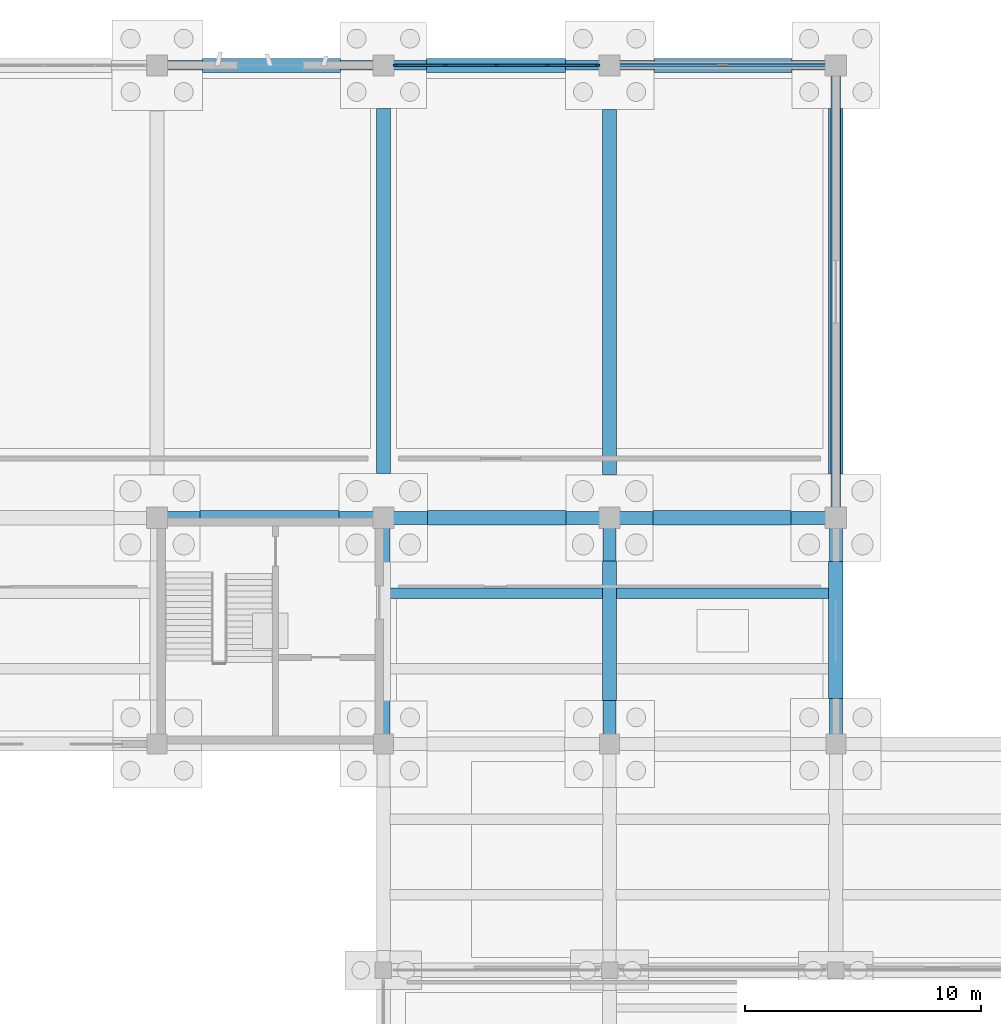
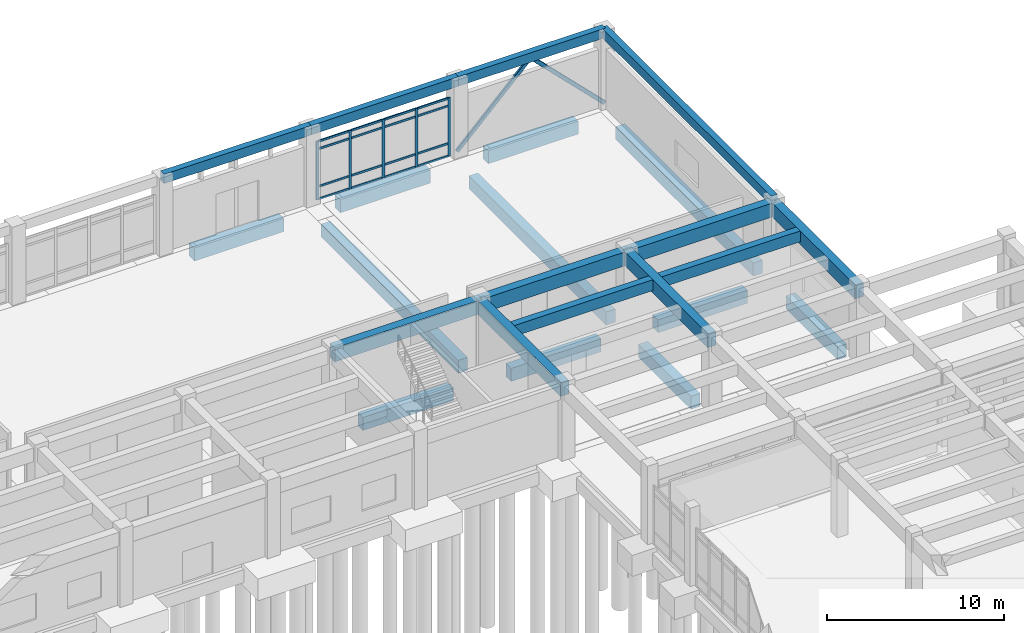
# One storey, part 55 of 102: 23 beams, 23 members, 1 element without a shape of its own.
"""IFC4 building model written with IfcOpenShell, lengths in metres."""

import ifcopenshell
import ifcopenshell.guid

model = None  # the IFC model being written
_history = None  # IfcOwnerHistory: only IFC2X3 demands one
_inside = {}  # id of a spatial element -> (the spatial element, [elements in it])
_under = {}  # id of a project, library or spatial element -> (it, [spatial elements below it])
_declared = {}  # id of a project -> (the project, [libraries it declares])
_typed = {}  # id of a type object -> (the type object, [elements of that type])
_made_of = {}  # id of a material, layer set ... -> (it, [elements and type objects made of it])


def new_model(schema):
    """Start an empty IFC model of exactly this schema.

    Asked for "IFC4X3", IfcOpenShell would pick the latest addendum, in which some entities
    have other attributes; the version numbers below select the first issue.
    IFC2X3 requires an IfcOwnerHistory on every rooted entity: one is made here for all.
    """
    global model, _history
    if schema == "IFC4X3":
        model = ifcopenshell.file(schema_version=(4, 3, 0, 0))
    else:
        model = ifcopenshell.file(schema=schema)
    _inside.clear()
    _under.clear()
    _declared.clear()
    _typed.clear()
    _made_of.clear()
    _history = None
    if model.schema == "IFC2X3":
        org = make("IfcOrganization", Name="unknown")
        user = make(
            "IfcPersonAndOrganization",
            ThePerson=make("IfcPerson", FamilyName="unknown"),
            TheOrganization=org,
        )
        app = make(
            "IfcApplication",
            ApplicationDeveloper=org,
            Version="unknown",
            ApplicationFullName="unknown",
            ApplicationIdentifier="unknown",
        )
        _history = make(
            "IfcOwnerHistory",
            OwningUser=user,
            OwningApplication=app,
            ChangeAction="ADDED",
            CreationDate=0,
        )
    return model


def make(cls, **values):
    """One entity of the class cls with the attributes given. An attribute that is None is left unset."""
    return model.create_entity(
        cls, **{name: value for name, value in values.items() if value is not None}
    )


def rooted(cls, **values):
    """An entity with a GlobalId (a new one), such as an element, a storey or a relation."""
    return make(cls, GlobalId=ifcopenshell.guid.new(), OwnerHistory=_history, **values)


def si_unit(unit_type, name, prefix=None):
    """IfcSIUnit, for example si_unit("LENGTHUNIT", "METRE", prefix="MILLI")."""
    return make("IfcSIUnit", UnitType=unit_type, Prefix=prefix, Name=name)


def assignment(units):
    """IfcUnitAssignment: the units of a project."""
    return None if units is None else make("IfcUnitAssignment", Units=units)


def point(xyz):
    """IfcCartesianPoint."""
    return None if xyz is None else make("IfcCartesianPoint", Coordinates=xyz)


def direction(xyz):
    """IfcDirection."""
    return None if xyz is None else make("IfcDirection", DirectionRatios=xyz)


def frame(location, z_axis=None, x_axis=None):
    """IfcAxis2Placement3D, a coordinate frame: its origin and axes. An axis left out is left unset."""
    return make(
        "IfcAxis2Placement3D",
        Location=point(location),
        Axis=direction(z_axis),
        RefDirection=direction(x_axis),
    )


def frame_2d(location, x_axis=None):
    """IfcAxis2Placement2D, a coordinate frame in the plane: its origin and x axis."""
    return make(
        "IfcAxis2Placement2D", Location=point(location), RefDirection=direction(x_axis)
    )


def origin():
    """The frame at (0, 0, 0) with its axes left unset."""
    return frame((0.0, 0.0, 0.0))


def origin_2d():
    """The frame at (0, 0) in the plane with its x axis left unset."""
    return frame_2d((0.0, 0.0))


def place(relative_to, where):
    """IfcLocalPlacement: puts the frame where relative to a parent placement (None: the world)."""
    return make(
        "IfcLocalPlacement", PlacementRelTo=relative_to, RelativePlacement=where
    )


def context(
    kind, dimensions, precision=None, world=None, true_north=None, identifier=None
):
    """IfcGeometricRepresentationContext, for example the 3D "Model" context."""
    return make(
        "IfcGeometricRepresentationContext",
        ContextIdentifier=identifier,
        ContextType=kind,
        CoordinateSpaceDimension=dimensions,
        Precision=precision,
        WorldCoordinateSystem=world,
        TrueNorth=true_north,
    )


def subcontext(parent, identifier, kind, view, scale=None):
    """IfcGeometricRepresentationSubContext, for example "Body" below "Model"."""
    return make(
        "IfcGeometricRepresentationSubContext",
        ContextIdentifier=identifier,
        ContextType=kind,
        ParentContext=parent,
        TargetScale=scale,
        TargetView=view,
    )


def project(units=None, contexts=None):
    """IfcProject with its units and contexts."""
    return rooted(
        "IfcProject",
        Name="project",
        RepresentationContexts=contexts,
        UnitsInContext=assignment(units),
    )


def spatial(cls, under=None, at=None, **own):
    """A site, building, storey or space (cls), placed at a placement, below another one or the project."""
    s = rooted(cls, ObjectPlacement=at, **own)
    if under is not None:
        _under.setdefault(under.id(), (under, []))[1].append(s)
    return s


def profile(cls, at=None, kind="AREA", **sizes):
    """A parametric profile (cls). Its sizes go by their IFC names, for example OverallWidth=200.0."""
    return make(cls, ProfileType=kind, Position=at, **sizes)


def rectangle(**sizes):
    """IfcRectangleProfileDef."""
    return profile("IfcRectangleProfileDef", **sizes)


def hollow_rectangle(**sizes):
    """IfcRectangleHollowProfileDef."""
    return profile("IfcRectangleHollowProfileDef", **sizes)


def extrude(swept, where, along, depth):
    """IfcExtrudedAreaSolid: the profile swept, set in the frame where, extruded along a direction by depth."""
    return make(
        "IfcExtrudedAreaSolid",
        SweptArea=swept,
        Position=where,
        ExtrudedDirection=direction(along),
        Depth=depth,
    )


def shape(context_of_items, identifier, shape_type, items):
    """IfcShapeRepresentation: the items that make up one representation, for example the "Body"."""
    return make(
        "IfcShapeRepresentation",
        ContextOfItems=context_of_items,
        RepresentationIdentifier=identifier,
        RepresentationType=shape_type,
        Items=items,
    )


def material(Name=None, Category=None):
    """IfcMaterial."""
    return make("IfcMaterial", Name=Name, Category=Category)


def layer(
    of_material, thickness, ventilated=None, Name=None, Category=None, Priority=None
):
    """IfcMaterialLayer: one layer of a wall or slab, of a material (None: an air gap)."""
    return make(
        "IfcMaterialLayer",
        Material=of_material,
        LayerThickness=thickness,
        IsVentilated=ventilated,
        Name=Name,
        Category=Category,
        Priority=Priority,
    )


def layer_set(layers, Name=None):
    """IfcMaterialLayerSet."""
    return make("IfcMaterialLayerSet", MaterialLayers=layers, LayerSetName=Name)


def material_profile(
    of_material, cross_section, Name=None, Category=None, Priority=None
):
    """IfcMaterialProfile: a cross section and its material."""
    return make(
        "IfcMaterialProfile",
        Name=Name,
        Material=of_material,
        Profile=cross_section,
        Priority=Priority,
        Category=Category,
    )


def profile_set(profiles, Name=None, composite=None):
    """IfcMaterialProfileSet."""
    return make(
        "IfcMaterialProfileSet",
        Name=Name,
        MaterialProfiles=profiles,
        CompositeProfile=composite,
    )


def made_of(thing, what):
    """Note that an element or type object is made of a material, layer set ...; save() writes the relation."""
    if what is not None:
        _made_of.setdefault(what.id(), (what, []))[1].append(thing)
    return thing


def type_object(cls, material=None, **own):
    """A type object (cls), such as IfcWallType, which elements share."""
    return made_of(rooted(cls, **own), material)


def element(
    cls,
    number,
    at=None,
    inside=None,
    cuts=None,
    type_object=None,
    material=None,
    context=None,
    identifier="Body",
    shape_type=None,
    held_by="IfcProductDefinitionShape",
    body=None,
    shapes=None,
    **own,
):
    """One element of the class cls, such as IfcWall. Its Tag is "e" and its number.

    at: its placement. inside: the storey or other place that contains it. cuts: it is an
    opening in that element (IfcRelVoidsElement). A single representation is given by context,
    identifier, shape_type and body (its items); several are given by shapes. held_by: the class
    of the entity that holds the representations. save() writes the other relations.
    """
    e = rooted(cls, Tag="e%d" % number, ObjectPlacement=at, **own)
    if body is not None:
        shapes = [shape(context, identifier, shape_type, body)]
    if shapes is not None:
        e.Representation = make(held_by, Representations=shapes)
    if inside is not None:
        _inside.setdefault(inside.id(), (inside, []))[1].append(e)
    if cuts is not None:
        rooted(
            "IfcRelVoidsElement", RelatingBuildingElement=cuts, RelatedOpeningElement=e
        )
    if type_object is not None:
        _typed.setdefault(type_object.id(), (type_object, []))[1].append(e)
    return made_of(e, material)


def aggregate(whole, parts):
    """IfcRelAggregates: a whole, such as a stair, and the parts it consists of."""
    return rooted("IfcRelAggregates", RelatingObject=whole, RelatedObjects=parts)


def save(model, path):
    """Write the relations noted so far, then the file.

    IfcRelAggregates (storeys below a building ...), IfcRelContainedInSpatialStructure (elements
    in a storey), IfcRelDefinesByType, IfcRelAssociatesMaterial and IfcRelDeclares: one each for
    every whole, place, type object, material and project.
    """
    for whole, parts in _under.values():
        aggregate(whole, parts)
    for where, things in _inside.values():
        rooted(
            "IfcRelContainedInSpatialStructure",
            RelatedElements=things,
            RelatingStructure=where,
        )
    for kind, things in _typed.values():
        rooted("IfcRelDefinesByType", RelatedObjects=things, RelatingType=kind)
    for what, things in _made_of.values():
        rooted("IfcRelAssociatesMaterial", RelatedObjects=things, RelatingMaterial=what)
    for by, libraries in _declared.values():
        rooted("IfcRelDeclares", RelatingContext=by, RelatedDefinitions=libraries)
    model.write(path)


model = new_model("IFC4")

# Units and contexts
model_context = context("Model", 3, precision=1e-05, world=origin(), true_north=direction((0.0, 1.0)))
body_context = subcontext(model_context, "Body", "Model", "MODEL_VIEW")
ifc_project = project(units=[si_unit("LENGTHUNIT", "METRE"), si_unit("AREAUNIT", "SQUARE_METRE"), si_unit("VOLUMEUNIT", "CUBIC_METRE"), si_unit("PLANEANGLEUNIT", "RADIAN"), si_unit("MASSUNIT", "GRAM", prefix="KILO")], contexts=[model_context])

# Site, building, storey
site_placement = place(None, origin())
site = spatial("IfcSite", under=ifc_project, at=site_placement, CompositionType="ELEMENT")
building_placement = place(site_placement, origin())
building = spatial("IfcBuilding", under=site, at=building_placement, Name="Kolvemor Railside Polytechnic", CompositionType="ELEMENT")
storey_placement = place(building_placement, origin())
storey = spatial("IfcBuildingStorey", under=building, at=storey_placement, Name="L00", CompositionType="ELEMENT", Elevation=0.0)

# Beams
ifc_material_1 = material(Name="Concrete C40/50", Category="concrete")
ifc_material_profile_1 = material_profile(ifc_material_1, rectangle(XDim=0.39990234375, YDim=0.64990234375, at=origin_2d()), Name="RC400x650")
ifc_profile_set_1 = profile_set([ifc_material_profile_1], Name="Concrete C40/50")
beam_type_1 = type_object("IfcBeamType", Name="BM-RC-EDGE", PredefinedType="LINTEL", material=ifc_profile_set_1)
beam_1_placement = place(storey_placement, frame((124.800048828125, 120.0, 5.074951171875), z_axis=(1.0, 0.0, 0.0), x_axis=(0.0, 1.0, 0.0)))
element("IfcBeam", 1, at=beam_1_placement, inside=storey, type_object=beam_type_1, Name="Workshop L01 Spandrel 2020", PredefinedType="LINTEL", context=body_context, shape_type="SweptSolid", body=[
    extrude(rectangle(XDim=0.39990234375, YDim=0.64990234375, at=origin_2d()), origin(), (0.0, 0.0, 1.0), 9.599853515625),
])
for number, where, z_axis, x_axis, name in (
    (2, (134.39990234375, 120.0, 5.074951171875), (1.0, 0.0, 0.0), (0.0, 1.0, 0.0), "Workshop L01 Spandrel 2021"),
    (3, (144.0, 120.0, 5.074951171875), (1.0, 0.0, 0.0), (0.0, 1.0, 0.0), "Workshop L01 Spandrel 2022"),
):
    element("IfcBeam", number, at=place(storey_placement, frame(where, z_axis=z_axis, x_axis=x_axis)), inside=storey, type_object=beam_type_1, Name=name, PredefinedType="LINTEL", context=body_context, shape_type="SweptSolid", body=[
        extrude(rectangle(XDim=0.39990234375, YDim=0.64990234375, at=origin_2d()), origin(), (0.0, 0.0, 1.0), 9.60009765625),
    ])
beam_2_placement = place(storey_placement, frame((153.60009765625, 100.800048828125, 5.074951171875), z_axis=(0.0, 1.0, 0.0), x_axis=(-1.0, 0.0, 0.0)))
element("IfcBeam", 4, at=beam_2_placement, inside=storey, type_object=beam_type_1, Name="Workshop East Spandrel 2024", PredefinedType="LINTEL", context=body_context, shape_type="SweptSolid", body=[
    extrude(rectangle(XDim=0.39990234375, YDim=0.64990234375, at=origin_2d()), origin(), (0.0, 0.0, 1.0), 19.199951171875),
])
ifc_material_2 = material(Name="Concrete C40/50", Category="concrete")
ifc_material_profile_2 = material_profile(ifc_material_2, rectangle(XDim=0.550048828125, YDim=0.949951171875, at=origin_2d()), Name="RC550x950")
ifc_profile_set_2 = profile_set([ifc_material_profile_2], Name="Concrete C40/50")
beam_type_2 = type_object("IfcBeamType", Name="BM-RC-GIRD", PredefinedType="BEAM", material=ifc_profile_set_2)
beam_3_placement = place(storey_placement, frame((124.800048828125, 100.800048828125, 4.635009765625), z_axis=(1.0, 0.0, 0.0), x_axis=(0.0, 1.0, 0.0)))
element("IfcBeam", 5, at=beam_3_placement, inside=storey, type_object=beam_type_2, Name="Primary Girder L01-GX 0516", PredefinedType="BEAM", context=body_context, shape_type="SweptSolid", body=[
    extrude(rectangle(XDim=0.550048828125, YDim=0.949951171875, at=origin_2d()), origin(), (0.0, 0.0, 1.0), 9.599853515625),
])
for number, where, z_axis, x_axis, name in (
    (6, (134.39990234375, 100.800048828125, 4.635009765625), (1.0, 0.0, 0.0), (0.0, 1.0, 0.0), "Primary Girder L01-GX 0517"),
    (7, (144.0, 100.800048828125, 4.635009765625), (1.0, 0.0, 0.0), (0.0, 1.0, 0.0), "Primary Girder L01-GX 0518"),
    (8, (134.39990234375, 91.199951171875, 4.635009765625), (0.0, 1.0, 0.0), (-1.0, 0.0, 0.0), "Primary Girder L01-GY 0531"),
    (9, (144.0, 91.199951171875, 4.635009765625), (0.0, 1.0, 0.0), (-1.0, 0.0, 0.0), "Primary Girder L01-GY 0532"),
    (10, (153.60009765625, 91.199951171875, 4.635009765625), (0.0, 1.0, 0.0), (-1.0, 0.0, 0.0), "Primary Girder L01-GY 0533"),
):
    element("IfcBeam", number, at=place(storey_placement, frame(where, z_axis=z_axis, x_axis=x_axis)), inside=storey, type_object=beam_type_2, Name=name, PredefinedType="BEAM", context=body_context, shape_type="SweptSolid", body=[
        extrude(rectangle(XDim=0.550048828125, YDim=0.949951171875, at=origin_2d()), origin(), (0.0, 0.0, 1.0), 9.60009765625),
    ])
ifc_material_3 = material(Name="Concrete C40/50", Category="concrete")
ifc_material_profile_3 = material_profile(ifc_material_3, rectangle(XDim=0.449951171875, YDim=0.75, at=origin_2d()), Name="RC450x750")
ifc_profile_set_3 = profile_set([ifc_material_profile_3], Name="Concrete C40/50")
beam_type_3 = type_object("IfcBeamType", Name="BM-RC-SEC", PredefinedType="JOIST", material=ifc_profile_set_3)
for number, where, z_axis, x_axis, name in (
    (11, (134.675048828125, 97.60009765625, 4.735107421875), (1.0, 0.0, 0.0), (0.0, 1.0, 0.0), "Floor Joist L01-J0555"),
    (12, (144.27490234375, 97.60009765625, 4.735107421875), (1.0, 0.0, 0.0), (0.0, 1.0, 0.0), "Floor Joist L01-J0557"),
):
    element("IfcBeam", number, at=place(storey_placement, frame(where, z_axis=z_axis, x_axis=x_axis)), inside=storey, type_object=beam_type_3, Name=name, PredefinedType="JOIST", context=body_context, shape_type="SweptSolid", body=[
        extrude(rectangle(XDim=0.449951171875, YDim=0.75, at=origin_2d()), origin(), (0.0, 0.0, 1.0), 9.050048828125),
    ])
ifc_material_4 = material(Name="Concrete C40/50", Category="concrete")
ifc_material_profile_4 = material_profile(ifc_material_4, rectangle(XDim=0.60009765625, YDim=0.89990234375, at=origin_2d()), Name="RC600x900")
ifc_profile_set_4 = profile_set([ifc_material_profile_4], Name="Concrete C40/50")
beam_type_4 = type_object("IfcBeamType", Name="BM-RC-TIE", PredefinedType="BEAM", material=ifc_profile_set_4)
beam_4_placement = place(storey_placement, frame((126.626953125, 100.800048828125, -0.75), z_axis=(1.0, 0.0, 0.0), x_axis=(0.0, 1.0, 0.0)))
element("IfcBeam", 13, at=beam_4_placement, inside=storey, type_object=beam_type_4, Name="Ground Tie Beam GTB-X211", PredefinedType="BEAM", context=body_context, shape_type="SweptSolid", body=[
    extrude(rectangle(XDim=0.60009765625, YDim=0.89990234375, at=origin_2d()), origin(), (0.0, 0.0, 1.0), 5.89599609375),
])
beam_5_placement = place(storey_placement, frame((136.277099609375, 100.800048828125, -0.75), z_axis=(1.0, 0.0, 0.0), x_axis=(0.0, 1.0, 0.0)))
element("IfcBeam", 14, at=beam_5_placement, inside=storey, type_object=beam_type_4, Name="Ground Tie Beam GTB-X212", PredefinedType="BEAM", context=body_context, shape_type="SweptSolid", body=[
    extrude(rectangle(XDim=0.60009765625, YDim=0.89990234375, at=origin_2d()), origin(), (0.0, 0.0, 1.0), 5.870849609375),
])
for number, where, z_axis, x_axis, name in (
    (15, (145.85205078125, 100.800048828125, -0.75), (1.0, 0.0, 0.0), (0.0, 1.0, 0.0), "Ground Tie Beam GTB-X213"),
    (16, (126.72705078125, 120.0, -0.75), (1.0, 0.0, 0.0), (0.0, 1.0, 0.0), "Ground Tie Beam GTB-X225"),
):
    element("IfcBeam", number, at=place(storey_placement, frame(where, z_axis=z_axis, x_axis=x_axis)), inside=storey, type_object=beam_type_4, Name=name, PredefinedType="BEAM", context=body_context, shape_type="SweptSolid", body=[
        extrude(rectangle(XDim=0.60009765625, YDim=0.89990234375, at=origin_2d()), origin(), (0.0, 0.0, 1.0), 5.845947265625),
    ])
beam_6_placement = place(storey_placement, frame((136.22705078125, 120.0, -0.75), z_axis=(1.0, 0.0, 0.0), x_axis=(0.0, 1.0, 0.0)))
element("IfcBeam", 17, at=beam_6_placement, inside=storey, type_object=beam_type_4, Name="Ground Tie Beam GTB-X226", PredefinedType="BEAM", context=body_context, shape_type="SweptSolid", body=[
    extrude(rectangle(XDim=0.60009765625, YDim=0.89990234375, at=origin_2d()), origin(), (0.0, 0.0, 1.0), 5.89599609375),
])
beam_7_placement = place(storey_placement, frame((145.876953125, 120.0, -0.75), z_axis=(1.0, 0.0, 0.0), x_axis=(0.0, 1.0, 0.0)))
element("IfcBeam", 18, at=beam_7_placement, inside=storey, type_object=beam_type_4, Name="Ground Tie Beam GTB-X227", PredefinedType="BEAM", context=body_context, shape_type="SweptSolid", body=[
    extrude(rectangle(XDim=0.60009765625, YDim=0.89990234375, at=origin_2d()), origin(), (0.0, 0.0, 1.0), 5.87109375),
])
beam_8_placement = place(storey_placement, frame((134.39990234375, 102.677001953125, -0.75), z_axis=(0.0, 1.0, 0.0), x_axis=(-1.0, 0.0, 0.0)))
element("IfcBeam", 19, at=beam_8_placement, inside=storey, type_object=beam_type_4, Name="Ground Tie Beam GTB-Y390", PredefinedType="BEAM", context=body_context, shape_type="SweptSolid", body=[
    extrude(rectangle(XDim=0.60009765625, YDim=0.89990234375, at=origin_2d()), origin(), (0.0, 0.0, 1.0), 15.49609375),
])
beam_9_placement = place(storey_placement, frame((144.0, 93.052001953125, -0.75), z_axis=(0.0, 1.0, 0.0), x_axis=(-1.0, 0.0, 0.0)))
element("IfcBeam", 20, at=beam_9_placement, inside=storey, type_object=beam_type_4, Name="Ground Tie Beam GTB-Y402", PredefinedType="BEAM", context=body_context, shape_type="SweptSolid", body=[
    extrude(rectangle(XDim=0.60009765625, YDim=0.89990234375, at=origin_2d()), origin(), (0.0, 0.0, 1.0), 5.9208984375),
])
beam_10_placement = place(storey_placement, frame((144.0, 102.626953125, -0.75), z_axis=(0.0, 1.0, 0.0), x_axis=(-1.0, 0.0, 0.0)))
element("IfcBeam", 21, at=beam_10_placement, inside=storey, type_object=beam_type_4, Name="Ground Tie Beam GTB-Y403", PredefinedType="BEAM", context=body_context, shape_type="SweptSolid", body=[
    extrude(rectangle(XDim=0.60009765625, YDim=0.89990234375, at=origin_2d()), origin(), (0.0, 0.0, 1.0), 15.49609375),
])
beam_11_placement = place(storey_placement, frame((153.60009765625, 93.126953125, -0.75), z_axis=(0.0, 1.0, 0.0), x_axis=(-1.0, 0.0, 0.0)))
element("IfcBeam", 22, at=beam_11_placement, inside=storey, type_object=beam_type_4, Name="Ground Tie Beam GTB-Y415", PredefinedType="BEAM", context=body_context, shape_type="SweptSolid", body=[
    extrude(rectangle(XDim=0.60009765625, YDim=0.89990234375, at=origin_2d()), origin(), (0.0, 0.0, 1.0), 5.821044921875),
])
beam_12_placement = place(storey_placement, frame((153.60009765625, 102.652099609375, -0.75), z_axis=(0.0, 1.0, 0.0), x_axis=(-1.0, 0.0, 0.0)))
element("IfcBeam", 23, at=beam_12_placement, inside=storey, type_object=beam_type_4, Name="Ground Tie Beam GTB-Y416", PredefinedType="BEAM", context=body_context, shape_type="SweptSolid", body=[
    extrude(rectangle(XDim=0.60009765625, YDim=0.89990234375, at=origin_2d()), origin(), (0.0, 0.0, 1.0), 15.52099609375),
])

# Curtain wall, members
ifc_material_5 = material(Name="Anodised marine aluminium and laminated low-E glass", Category="aluminium")
ifc_layer = layer(ifc_material_5, 0.179931640625, Name="CW-UNIT-WKS")
ifc_layer_set = layer_set([ifc_layer], Name="Anodised marine aluminium and laminated low-E glass")
curtain_wall_type = type_object("IfcCurtainWallType", Name="CW-UNIT-WKS", PredefinedType="USERDEFINED", material=ifc_layer_set)
curtain_wall_placement = place(storey_placement, origin())
curtain_wall = element("IfcCurtainWall", 24, at=curtain_wall_placement, inside=storey, type_object=curtain_wall_type, Name="Curtain Wall L00-026", ObjectType="UNITISED CURTAIN WALL", PredefinedType="USERDEFINED")
ifc_material_6 = material(Name="Anodised marine aluminium 6063-T6", Category="aluminium")
ifc_material_profile_5 = material_profile(ifc_material_6, rectangle(XDim=0.074951171875, YDim=0.179931640625, at=origin_2d()), Name="CW-MUL-75x180")
ifc_profile_set_5 = profile_set([ifc_material_profile_5], Name="Anodised marine aluminium 6063-T6")
member_type_1 = type_object("IfcMemberType", Name="CWM-75x180", PredefinedType="MULLION", material=ifc_profile_set_5)
member_1_placement = place(storey_placement, frame((143.492431640625, 120.0, 0.0), z_axis=(0.0, 0.0, 1.0), x_axis=(0.0, -1.0, 0.0)))
member_1 = element("IfcMember", 25, at=member_1_placement, type_object=member_type_1, Name="CW-WKS mullion 1", PredefinedType="MULLION", context=body_context, shape_type="SweptSolid", body=[
    extrude(rectangle(XDim=0.074951171875, YDim=0.179931640625, at=origin_2d()), origin(), (0.0, 0.0, 1.0), 4.0400390625),
])
member_2_placement = place(storey_placement, frame((141.364990234375, 120.0, 0.0), z_axis=(0.0, 0.0, 1.0), x_axis=(0.0, -1.0, 0.0)))
member_2 = element("IfcMember", 26, at=member_2_placement, type_object=member_type_1, Name="CW-WKS mullion 2", PredefinedType="MULLION", context=body_context, shape_type="SweptSolid", body=[
    extrude(rectangle(XDim=0.074951171875, YDim=0.179931640625, at=origin_2d()), origin(), (0.0, 0.0, 1.0), 4.0400390625),
])
member_3_placement = place(storey_placement, frame((139.199951171875, 120.0, 0.0), z_axis=(0.0, 0.0, 1.0), x_axis=(0.0, -1.0, 0.0)))
member_3 = element("IfcMember", 27, at=member_3_placement, type_object=member_type_1, Name="CW-WKS mullion 3", PredefinedType="MULLION", context=body_context, shape_type="SweptSolid", body=[
    extrude(rectangle(XDim=0.074951171875, YDim=0.179931640625, at=origin_2d()), origin(), (0.0, 0.0, 1.0), 4.0400390625),
])
member_4_placement = place(storey_placement, frame((137.034912109375, 120.0, 0.0), z_axis=(0.0, 0.0, 1.0), x_axis=(0.0, -1.0, 0.0)))
member_4 = element("IfcMember", 28, at=member_4_placement, type_object=member_type_1, Name="CW-WKS mullion 4", PredefinedType="MULLION", context=body_context, shape_type="SweptSolid", body=[
    extrude(rectangle(XDim=0.074951171875, YDim=0.179931640625, at=origin_2d()), origin(), (0.0, 0.0, 1.0), 4.0400390625),
])
member_5_placement = place(storey_placement, frame((134.907470703125, 120.0, 0.0), z_axis=(0.0, 0.0, 1.0), x_axis=(0.0, -1.0, 0.0)))
member_5 = element("IfcMember", 29, at=member_5_placement, type_object=member_type_1, Name="CW-WKS mullion 5", PredefinedType="MULLION", context=body_context, shape_type="SweptSolid", body=[
    extrude(rectangle(XDim=0.074951171875, YDim=0.179931640625, at=origin_2d()), origin(), (0.0, 0.0, 1.0), 4.0400390625),
])
ifc_material_7 = material(Name="Anodised marine aluminium 6063-T6", Category="aluminium")
ifc_material_profile_6 = material_profile(ifc_material_7, rectangle(XDim=0.074951171875, YDim=0.139892578125, at=origin_2d()), Name="CW-TRN-75x140")
ifc_profile_set_6 = profile_set([ifc_material_profile_6], Name="Anodised marine aluminium 6063-T6")
member_type_2 = type_object("IfcMemberType", Name="CWT-75x140", PredefinedType="USERDEFINED", material=ifc_profile_set_6)
member_6_placement = place(storey_placement, frame((143.455078125, 120.0, 0.03759765625), z_axis=(-1.0, 0.0, 0.0), x_axis=(0.0, -1.0, 0.0)))
member_6 = element("IfcMember", 30, at=member_6_placement, type_object=member_type_2, Name="CW-WKS transom 1.1", ObjectType="TRANSOM", PredefinedType="USERDEFINED", context=body_context, shape_type="SweptSolid", body=[
    extrude(rectangle(XDim=0.074951171875, YDim=0.139892578125, at=origin_2d()), origin(), (0.0, 0.0, 1.0), 2.052490234375),
])
member_7_placement = place(storey_placement, frame((143.455078125, 120.0, 0.89990234375), z_axis=(-1.0, 0.0, 0.0), x_axis=(0.0, -1.0, 0.0)))
member_7 = element("IfcMember", 31, at=member_7_placement, type_object=member_type_2, Name="CW-WKS transom 1.2", ObjectType="TRANSOM", PredefinedType="USERDEFINED", context=body_context, shape_type="SweptSolid", body=[
    extrude(rectangle(XDim=0.074951171875, YDim=0.139892578125, at=origin_2d()), origin(), (0.0, 0.0, 1.0), 2.052490234375),
])
member_8_placement = place(storey_placement, frame((143.455078125, 120.0, 3.489990234375), z_axis=(-1.0, 0.0, 0.0), x_axis=(0.0, -1.0, 0.0)))
member_8 = element("IfcMember", 32, at=member_8_placement, type_object=member_type_2, Name="CW-WKS transom 1.3", ObjectType="TRANSOM", PredefinedType="USERDEFINED", context=body_context, shape_type="SweptSolid", body=[
    extrude(rectangle(XDim=0.074951171875, YDim=0.139892578125, at=origin_2d()), origin(), (0.0, 0.0, 1.0), 2.052490234375),
])
member_9_placement = place(storey_placement, frame((143.455078125, 120.0, 4.00244140625), z_axis=(-1.0, 0.0, 0.0), x_axis=(0.0, -1.0, 0.0)))
member_9 = element("IfcMember", 33, at=member_9_placement, type_object=member_type_2, Name="CW-WKS transom 1.4", ObjectType="TRANSOM", PredefinedType="USERDEFINED", context=body_context, shape_type="SweptSolid", body=[
    extrude(rectangle(XDim=0.074951171875, YDim=0.139892578125, at=origin_2d()), origin(), (0.0, 0.0, 1.0), 2.052490234375),
])
member_10_placement = place(storey_placement, frame((141.327392578125, 120.0, 0.03759765625), z_axis=(-1.0, 0.0, 0.0), x_axis=(0.0, -1.0, 0.0)))
member_10 = element("IfcMember", 34, at=member_10_placement, type_object=member_type_2, Name="CW-WKS transom 2.1", ObjectType="TRANSOM", PredefinedType="USERDEFINED", context=body_context, shape_type="SweptSolid", body=[
    extrude(rectangle(XDim=0.074951171875, YDim=0.139892578125, at=origin_2d()), origin(), (0.0, 0.0, 1.0), 2.08984375),
])
member_11_placement = place(storey_placement, frame((141.327392578125, 120.0, 0.89990234375), z_axis=(-1.0, 0.0, 0.0), x_axis=(0.0, -1.0, 0.0)))
member_11 = element("IfcMember", 35, at=member_11_placement, type_object=member_type_2, Name="CW-WKS transom 2.2", ObjectType="TRANSOM", PredefinedType="USERDEFINED", context=body_context, shape_type="SweptSolid", body=[
    extrude(rectangle(XDim=0.074951171875, YDim=0.139892578125, at=origin_2d()), origin(), (0.0, 0.0, 1.0), 2.08984375),
])
member_12_placement = place(storey_placement, frame((141.327392578125, 120.0, 3.489990234375), z_axis=(-1.0, 0.0, 0.0), x_axis=(0.0, -1.0, 0.0)))
member_12 = element("IfcMember", 36, at=member_12_placement, type_object=member_type_2, Name="CW-WKS transom 2.3", ObjectType="TRANSOM", PredefinedType="USERDEFINED", context=body_context, shape_type="SweptSolid", body=[
    extrude(rectangle(XDim=0.074951171875, YDim=0.139892578125, at=origin_2d()), origin(), (0.0, 0.0, 1.0), 2.08984375),
])
member_13_placement = place(storey_placement, frame((141.327392578125, 120.0, 4.00244140625), z_axis=(-1.0, 0.0, 0.0), x_axis=(0.0, -1.0, 0.0)))
member_13 = element("IfcMember", 37, at=member_13_placement, type_object=member_type_2, Name="CW-WKS transom 2.4", ObjectType="TRANSOM", PredefinedType="USERDEFINED", context=body_context, shape_type="SweptSolid", body=[
    extrude(rectangle(XDim=0.074951171875, YDim=0.139892578125, at=origin_2d()), origin(), (0.0, 0.0, 1.0), 2.08984375),
])
member_14_placement = place(storey_placement, frame((139.16259765625, 120.0, 0.03759765625), z_axis=(-1.0, 0.0, 0.0), x_axis=(0.0, -1.0, 0.0)))
member_14 = element("IfcMember", 38, at=member_14_placement, type_object=member_type_2, Name="CW-WKS transom 3.1", ObjectType="TRANSOM", PredefinedType="USERDEFINED", context=body_context, shape_type="SweptSolid", body=[
    extrude(rectangle(XDim=0.074951171875, YDim=0.139892578125, at=origin_2d()), origin(), (0.0, 0.0, 1.0), 2.090087890625),
])
member_15_placement = place(storey_placement, frame((139.16259765625, 120.0, 0.89990234375), z_axis=(-1.0, 0.0, 0.0), x_axis=(0.0, -1.0, 0.0)))
member_15 = element("IfcMember", 39, at=member_15_placement, type_object=member_type_2, Name="CW-WKS transom 3.2", ObjectType="TRANSOM", PredefinedType="USERDEFINED", context=body_context, shape_type="SweptSolid", body=[
    extrude(rectangle(XDim=0.074951171875, YDim=0.139892578125, at=origin_2d()), origin(), (0.0, 0.0, 1.0), 2.090087890625),
])
member_16_placement = place(storey_placement, frame((139.16259765625, 120.0, 3.489990234375), z_axis=(-1.0, 0.0, 0.0), x_axis=(0.0, -1.0, 0.0)))
member_16 = element("IfcMember", 40, at=member_16_placement, type_object=member_type_2, Name="CW-WKS transom 3.3", ObjectType="TRANSOM", PredefinedType="USERDEFINED", context=body_context, shape_type="SweptSolid", body=[
    extrude(rectangle(XDim=0.074951171875, YDim=0.139892578125, at=origin_2d()), origin(), (0.0, 0.0, 1.0), 2.090087890625),
])
member_17_placement = place(storey_placement, frame((139.16259765625, 120.0, 4.00244140625), z_axis=(-1.0, 0.0, 0.0), x_axis=(0.0, -1.0, 0.0)))
member_17 = element("IfcMember", 41, at=member_17_placement, type_object=member_type_2, Name="CW-WKS transom 3.4", ObjectType="TRANSOM", PredefinedType="USERDEFINED", context=body_context, shape_type="SweptSolid", body=[
    extrude(rectangle(XDim=0.074951171875, YDim=0.139892578125, at=origin_2d()), origin(), (0.0, 0.0, 1.0), 2.090087890625),
])
member_18_placement = place(storey_placement, frame((136.99755859375, 120.0, 0.03759765625), z_axis=(-1.0, 0.0, 0.0), x_axis=(0.0, -1.0, 0.0)))
member_18 = element("IfcMember", 42, at=member_18_placement, type_object=member_type_2, Name="CW-WKS transom 4.1", ObjectType="TRANSOM", PredefinedType="USERDEFINED", context=body_context, shape_type="SweptSolid", body=[
    extrude(rectangle(XDim=0.074951171875, YDim=0.139892578125, at=origin_2d()), origin(), (0.0, 0.0, 1.0), 2.052490234375),
])
member_19_placement = place(storey_placement, frame((136.99755859375, 120.0, 0.89990234375), z_axis=(-1.0, 0.0, 0.0), x_axis=(0.0, -1.0, 0.0)))
member_19 = element("IfcMember", 43, at=member_19_placement, type_object=member_type_2, Name="CW-WKS transom 4.2", ObjectType="TRANSOM", PredefinedType="USERDEFINED", context=body_context, shape_type="SweptSolid", body=[
    extrude(rectangle(XDim=0.074951171875, YDim=0.139892578125, at=origin_2d()), origin(), (0.0, 0.0, 1.0), 2.052490234375),
])
member_20_placement = place(storey_placement, frame((136.99755859375, 120.0, 3.489990234375), z_axis=(-1.0, 0.0, 0.0), x_axis=(0.0, -1.0, 0.0)))
member_20 = element("IfcMember", 44, at=member_20_placement, type_object=member_type_2, Name="CW-WKS transom 4.3", ObjectType="TRANSOM", PredefinedType="USERDEFINED", context=body_context, shape_type="SweptSolid", body=[
    extrude(rectangle(XDim=0.074951171875, YDim=0.139892578125, at=origin_2d()), origin(), (0.0, 0.0, 1.0), 2.052490234375),
])
member_21_placement = place(storey_placement, frame((136.99755859375, 120.0, 4.00244140625), z_axis=(-1.0, 0.0, 0.0), x_axis=(0.0, -1.0, 0.0)))
member_21 = element("IfcMember", 45, at=member_21_placement, type_object=member_type_2, Name="CW-WKS transom 4.4", ObjectType="TRANSOM", PredefinedType="USERDEFINED", context=body_context, shape_type="SweptSolid", body=[
    extrude(rectangle(XDim=0.074951171875, YDim=0.139892578125, at=origin_2d()), origin(), (0.0, 0.0, 1.0), 2.052490234375),
])
aggregate(curtain_wall, [member_1, member_2, member_3, member_4, member_5, member_6, member_7, member_8, member_9, member_10, member_11, member_12, member_13, member_14, member_15, member_16, member_17, member_18, member_19, member_20, member_21])

# Members
ifc_material_8 = material(Name="Steel S355", Category="steel")
ifc_material_profile_7 = material_profile(ifc_material_8, hollow_rectangle(XDim=0.14990234375, YDim=0.25, WallThickness=0.010009765625, InnerFilletRadius=0.010009765625, OuterFilletRadius=0.02001953125, at=origin_2d()), Name="HSS250x150x10")
ifc_profile_set_7 = profile_set([ifc_material_profile_7], Name="Steel S355")
member_type_3 = type_object("IfcMemberType", Name="MEM-BR-HSS1", PredefinedType="BRACE", material=ifc_profile_set_7)
for number, where, z_axis, x_axis, name in (
    (46, (144.0, 120.0, 0.14990234375), (0.707106781187, 0.0, 0.707106781187), (0.0, 1.0, 0.0), "Wind Chevron Brace BR-02A"),
    (47, (153.60009765625, 120.0, 0.14990234375), (-0.707106781187, 0.0, 0.707106781187), (0.0, -1.0, 0.0), "Wind Chevron Brace BR-02B"),
):
    element("IfcMember", number, at=place(storey_placement, frame(where, z_axis=z_axis, x_axis=x_axis)), inside=storey, type_object=member_type_3, Name=name, PredefinedType="BRACE", context=body_context, shape_type="SweptSolid", body=[
        extrude(hollow_rectangle(XDim=0.14990234375, YDim=0.25, WallThickness=0.010009765625, InnerFilletRadius=0.010009765625, OuterFilletRadius=0.02001953125, at=origin_2d()), origin(), (0.0, 0.0, 1.0), 6.788330078125),
    ])

save(model, "model.ifc")
